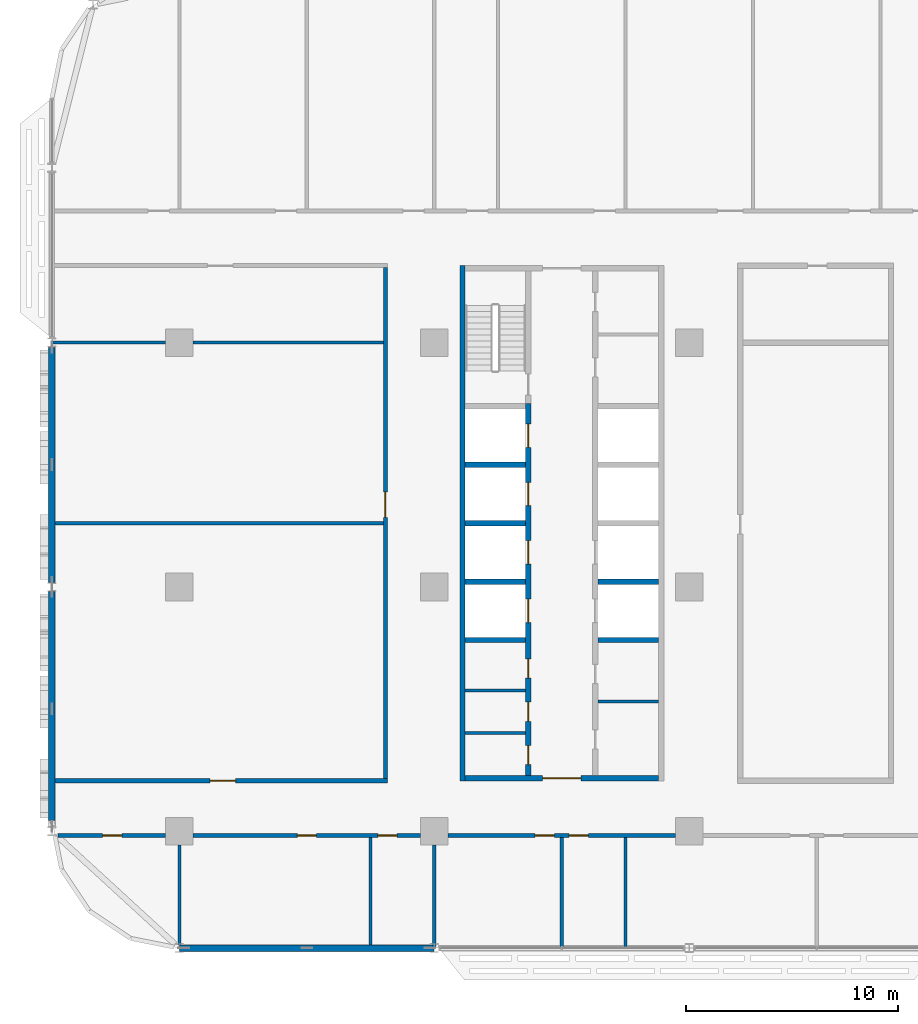
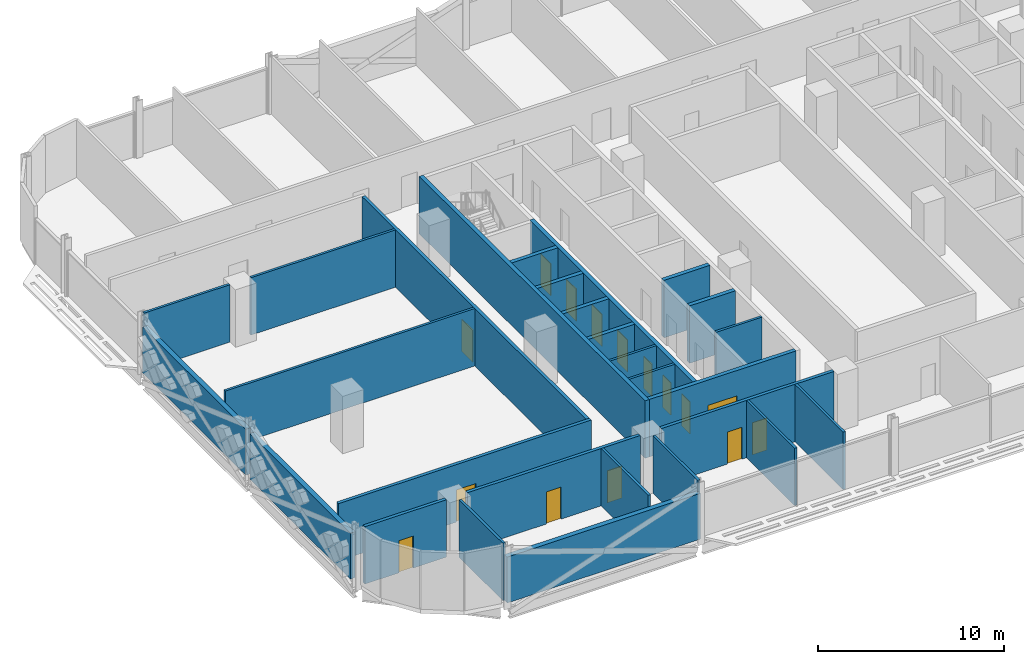
# One storey, part 13 of 29: 28 walls, 15 doors, 15 openings.
"""IFC4 building model written with IfcOpenShell, lengths in metres."""

from ifc_helpers import new_model, si_unit, direction, frame, frame_2d, origin, place, context, subcontext, project, spatial, rectangle, extrude, material, layer, layer_set, type_object, element, fill, save


model = new_model("IFC4")

# Units and contexts
model_context = context("Model", 3, precision=1e-05, world=origin(), true_north=direction((0.0, 1.0)))
body_context = subcontext(model_context, "Body", "Model", "MODEL_VIEW")
ifc_project = project(units=[si_unit("LENGTHUNIT", "METRE"), si_unit("AREAUNIT", "SQUARE_METRE"), si_unit("VOLUMEUNIT", "CUBIC_METRE"), si_unit("PLANEANGLEUNIT", "RADIAN"), si_unit("MASSUNIT", "GRAM", prefix="KILO")], contexts=[model_context])

# Site, building, storey
site_placement = place(None, origin())
site = spatial("IfcSite", under=ifc_project, at=site_placement, CompositionType="ELEMENT")
building_placement = place(site_placement, origin())
building = spatial("IfcBuilding", under=site, at=building_placement, Name="Mahtab Terrace Research Tower", CompositionType="ELEMENT")
storey_placement = place(building_placement, frame((0.0, 0.0, 142.5)))
storey = spatial("IfcBuildingStorey", under=building, at=storey_placement, Name="L33", CompositionType="ELEMENT", Elevation=142.5)

# Walls
ifc_material_1 = material(Name="Gypsum board partition")
ifc_layer_1 = layer(ifc_material_1, 0.14990234375)
ifc_layer_set_1 = layer_set([ifc_layer_1], Name="Core partition 150")
wall_type_1 = type_object("IfcWallType", Name="Core partition 150", PredefinedType="PARTITIONING", material=ifc_layer_set_1)
for number, where, z_axis, x_axis, name in (
    (1, (-28.550048828125, -6.875, 0.0), (0.0, 0.0, 1.0), (1.0, 0.0, 0.0), "Core wall A pWS-988"),
    (2, (-28.550048828125, -4.875, 0.0), (0.0, 0.0, 1.0), (1.0, 0.0, 0.0), "Core wall A pWS-788"),
    (3, (-22.300048828125, -5.39501953125, 0.0), (0.0, 0.0, 1.0), (1.0, 0.0, 0.0), "Core wall A pES-840"),
):
    element("IfcWall", number, at=place(storey_placement, frame(where, z_axis=z_axis, x_axis=x_axis)), inside=storey, type_object=wall_type_1, Name=name, PredefinedType="PARTITIONING", context=body_context, shape_type="SweptSolid", body=[
        extrude(rectangle(XDim=2.85009765625, YDim=0.14990234375, at=frame_2d((1.425048828125, 0.0))), origin(), (0.0, 0.0, 1.0), 3.760009765625),
    ])
ifc_material_2 = material(Name="Concrete C70/85", Category="concrete")
ifc_layer_2 = layer(ifc_material_2, 0.25)
ifc_layer_set_2 = layer_set([ifc_layer_2], Name="Core wall 250")
wall_type_2 = type_object("IfcWallType", Name="Core wall 250", PredefinedType="SOLIDWALL", material=ifc_layer_set_2)
wall_1_placement = place(storey_placement, frame((-28.675048828125, 15.125, 0.0), z_axis=(0.0, 0.0, 1.0), x_axis=(0.0, -1.0, 0.0)))
element("IfcWall", 4, at=wall_1_placement, inside=storey, type_object=wall_type_2, Name="Core wall A outerW", PredefinedType="SOLIDWALL", context=body_context, shape_type="SweptSolid", body=[
    extrude(rectangle(XDim=24.25, YDim=0.25, at=frame_2d((12.125, 0.0))), origin(), (0.0, 0.0, 1.0), 3.760009765625),
])

# Wall, opening, door
wall_2_placement = place(storey_placement, frame((-19.449951171875, -9.0, 0.0), z_axis=(0.0, 0.0, 1.0), x_axis=(-1.0, 0.0, 0.0)))
wall_2 = element("IfcWall", 5, at=wall_2_placement, inside=storey, type_object=wall_type_2, Name="Core wall A endS", PredefinedType="SOLIDWALL", context=body_context, shape_type="SweptSolid", body=[
    extrude(rectangle(XDim=9.10009765625, YDim=0.25, at=frame_2d((4.550048828125, 0.0))), origin(), (0.0, 0.0, 1.0), 3.760009765625),
])
opening_1_placement = place(wall_2_placement, frame((3.64990234375, 0.0, 0.0)))
opening_1 = element("IfcOpeningElement", 6, at=opening_1_placement, cuts=wall_2, Name="Opening A-S1", PredefinedType="OPENING", context=body_context, shape_type="SweptSolid", body=[
    extrude(rectangle(XDim=1.800048828125, YDim=2.10009765625, at=frame_2d((0.89990234375, 1.050048828125))), frame((0.0, 0.135009765625, 0.0), z_axis=(0.0, -1.0, 0.0), x_axis=(1.0, 0.0, 0.0)), (0.0, 0.0, 1.0), 0.27001953125),
])
ifc_material_3 = material(Name="Steel fire door", Category="steel")
door_type_1 = type_object("IfcDoorType", Name="Lobby double door 1800x2100 1 HR", OperationType="DOUBLE_DOOR_SINGLE_SWING", PredefinedType="DOOR", material=ifc_material_3)
door_1_placement = place(opening_1_placement, origin())
door_1 = element("IfcDoor", 7, at=door_1_placement, inside=storey, type_object=door_type_1, Name="Core entrance door A S", OperationType="DOUBLE_DOOR_SINGLE_SWING", OverallHeight=2.10009765625, OverallWidth=1.800048828125, PredefinedType="DOOR", context=body_context, shape_type="SweptSolid", body=[
    extrude(rectangle(XDim=1.800048828125, YDim=2.10009765625, at=frame_2d((0.89990234375, 1.050048828125))), frame((0.0, 0.02490234375, 0.0), z_axis=(0.0, -1.0, 0.0), x_axis=(1.0, 0.0, 0.0)), (0.0, 0.0, 1.0), 0.050048828125),
])
fill(opening_1, door_1)

# Wall, openings, doors
wall_3_placement = place(storey_placement, frame((-25.574951171875, -8.875, 0.0), z_axis=(0.0, 0.0, 1.0), x_axis=(0.0, 1.0, 0.0)))
wall_3 = element("IfcWall", 8, at=wall_3_placement, inside=storey, type_object=wall_type_2, Name="Core wall A innerWSL", PredefinedType="SOLIDWALL", context=body_context, shape_type="SweptSolid", body=[
    extrude(rectangle(XDim=17.5, YDim=0.25, at=frame_2d((8.75, 0.0))), origin(), (0.0, 0.0, 1.0), 3.760009765625),
])
opening_2_placement = place(wall_3_placement, frame((7.199951171875, 0.0, 0.0)))
opening_2 = element("IfcOpeningElement", 9, at=opening_2_placement, cuts=wall_3, Name="Opening LD01-L33", PredefinedType="OPENING", context=body_context, shape_type="SweptSolid", body=[
    extrude(rectangle(XDim=1.10009765625, YDim=2.10009765625, at=frame_2d((0.550048828125, 1.050048828125))), frame((0.0, 0.135009765625, 0.0), z_axis=(0.0, -1.0, 0.0), x_axis=(1.0, 0.0, 0.0)), (0.0, 0.0, 1.0), 0.27001953125),
])
opening_3_placement = place(wall_3_placement, frame((9.949951171875, 0.0, 0.0)))
opening_3 = element("IfcOpeningElement", 10, at=opening_3_placement, cuts=wall_3, Name="Opening LD02-L33", PredefinedType="OPENING", context=body_context, shape_type="SweptSolid", body=[
    extrude(rectangle(XDim=1.10009765625, YDim=2.10009765625, at=frame_2d((0.550048828125, 1.050048828125))), frame((0.0, 0.135009765625, 0.0), z_axis=(0.0, -1.0, 0.0), x_axis=(1.0, 0.0, 0.0)), (0.0, 0.0, 1.0), 0.27001953125),
])
opening_4_placement = place(wall_3_placement, frame((12.699951171875, 0.0, 0.0)))
opening_4 = element("IfcOpeningElement", 11, at=opening_4_placement, cuts=wall_3, Name="Opening LD03-L33", PredefinedType="OPENING", context=body_context, shape_type="SweptSolid", body=[
    extrude(rectangle(XDim=1.10009765625, YDim=2.10009765625, at=frame_2d((0.550048828125, 1.050048828125))), frame((0.0, 0.135009765625, 0.0), z_axis=(0.0, -1.0, 0.0), x_axis=(1.0, 0.0, 0.0)), (0.0, 0.0, 1.0), 0.27001953125),
])
opening_5_placement = place(wall_3_placement, frame((15.449951171875, 0.0, 0.0)))
opening_5 = element("IfcOpeningElement", 12, at=opening_5_placement, cuts=wall_3, Name="Opening LD04-L33", PredefinedType="OPENING", context=body_context, shape_type="SweptSolid", body=[
    extrude(rectangle(XDim=1.10009765625, YDim=2.10009765625, at=frame_2d((0.550048828125, 1.050048828125))), frame((0.0, 0.135009765625, 0.0), z_axis=(0.0, -1.0, 0.0), x_axis=(1.0, 0.0, 0.0)), (0.0, 0.0, 1.0), 0.27001953125),
])
opening_6_placement = place(wall_3_placement, frame((0.512451171875, 0.0, 0.0)))
opening_6 = element("IfcOpeningElement", 13, at=opening_6_placement, cuts=wall_3, Name="Opening A-R1", PredefinedType="OPENING", context=body_context, shape_type="SweptSolid", body=[
    extrude(rectangle(XDim=0.89990234375, YDim=2.10009765625, at=frame_2d((0.449951171875, 1.050048828125))), frame((0.0, 0.135009765625, 0.0), z_axis=(0.0, -1.0, 0.0), x_axis=(1.0, 0.0, 0.0)), (0.0, 0.0, 1.0), 0.27001953125),
])
opening_7_placement = place(wall_3_placement, frame((2.550048828125, 0.0, 0.0)))
opening_7 = element("IfcOpeningElement", 14, at=opening_7_placement, cuts=wall_3, Name="Opening A-R2", PredefinedType="OPENING", context=body_context, shape_type="SweptSolid", body=[
    extrude(rectangle(XDim=0.89990234375, YDim=2.10009765625, at=frame_2d((0.449951171875, 1.050048828125))), frame((0.0, 0.135009765625, 0.0), z_axis=(0.0, -1.0, 0.0), x_axis=(1.0, 0.0, 0.0)), (0.0, 0.0, 1.0), 0.27001953125),
])
opening_8_placement = place(wall_3_placement, frame((4.58740234375, 0.0, 0.0)))
opening_8 = element("IfcOpeningElement", 15, at=opening_8_placement, cuts=wall_3, Name="Opening A-R3", PredefinedType="OPENING", context=body_context, shape_type="SweptSolid", body=[
    extrude(rectangle(XDim=0.89990234375, YDim=2.10009765625, at=frame_2d((0.449951171875, 1.050048828125))), frame((0.0, 0.135009765625, 0.0), z_axis=(0.0, -1.0, 0.0), x_axis=(1.0, 0.0, 0.0)), (0.0, 0.0, 1.0), 0.27001953125),
])
ifc_material_4 = material(Name="Stainless steel AISI 304", Category="steel")
door_type_2 = type_object("IfcDoorType", Name="Landing door 1100x2100", OperationType="DOUBLE_DOOR_SLIDING", PredefinedType="DOOR", material=ifc_material_4)
door_2_placement = place(opening_2_placement, origin())
door_2 = element("IfcDoor", 16, at=door_2_placement, inside=storey, type_object=door_type_2, Name="Landing door LR1 L33", OperationType="DOUBLE_DOOR_SLIDING", OverallHeight=2.10009765625, OverallWidth=1.10009765625, PredefinedType="DOOR", context=body_context, shape_type="SweptSolid", body=[
    extrude(rectangle(XDim=1.10009765625, YDim=2.10009765625, at=frame_2d((0.550048828125, 1.050048828125))), frame((0.0, 0.02490234375, 0.0), z_axis=(0.0, -1.0, 0.0), x_axis=(1.0, 0.0, 0.0)), (0.0, 0.0, 1.0), 0.050048828125),
])
fill(opening_2, door_2)
door_3_placement = place(opening_3_placement, origin())
door_3 = element("IfcDoor", 17, at=door_3_placement, inside=storey, type_object=door_type_2, Name="Landing door LR2 L33", OperationType="DOUBLE_DOOR_SLIDING", OverallHeight=2.10009765625, OverallWidth=1.10009765625, PredefinedType="DOOR", context=body_context, shape_type="SweptSolid", body=[
    extrude(rectangle(XDim=1.10009765625, YDim=2.10009765625, at=frame_2d((0.550048828125, 1.050048828125))), frame((0.0, 0.02490234375, 0.0), z_axis=(0.0, -1.0, 0.0), x_axis=(1.0, 0.0, 0.0)), (0.0, 0.0, 1.0), 0.050048828125),
])
fill(opening_3, door_3)
door_4_placement = place(opening_4_placement, origin())
door_4 = element("IfcDoor", 18, at=door_4_placement, inside=storey, type_object=door_type_2, Name="Landing door LR3 L33", OperationType="DOUBLE_DOOR_SLIDING", OverallHeight=2.10009765625, OverallWidth=1.10009765625, PredefinedType="DOOR", context=body_context, shape_type="SweptSolid", body=[
    extrude(rectangle(XDim=1.10009765625, YDim=2.10009765625, at=frame_2d((0.550048828125, 1.050048828125))), frame((0.0, 0.02490234375, 0.0), z_axis=(0.0, -1.0, 0.0), x_axis=(1.0, 0.0, 0.0)), (0.0, 0.0, 1.0), 0.050048828125),
])
fill(opening_4, door_4)
door_5_placement = place(opening_5_placement, origin())
door_5 = element("IfcDoor", 19, at=door_5_placement, inside=storey, type_object=door_type_2, Name="Landing door LR4 L33", OperationType="DOUBLE_DOOR_SLIDING", OverallHeight=2.10009765625, OverallWidth=1.10009765625, PredefinedType="DOOR", context=body_context, shape_type="SweptSolid", body=[
    extrude(rectangle(XDim=1.10009765625, YDim=2.10009765625, at=frame_2d((0.550048828125, 1.050048828125))), frame((0.0, 0.02490234375, 0.0), z_axis=(0.0, -1.0, 0.0), x_axis=(1.0, 0.0, 0.0)), (0.0, 0.0, 1.0), 0.050048828125),
])
fill(opening_5, door_5)
door_type_3 = type_object("IfcDoorType", Name="Room door 900x2100 1 HR", OperationType="NOTDEFINED", PredefinedType="DOOR", material=ifc_material_3)
door_6_placement = place(opening_6_placement, origin())
door_6 = element("IfcDoor", 20, at=door_6_placement, inside=storey, type_object=door_type_3, Name="Male WC door", OperationType="SINGLE_SWING_LEFT", OverallHeight=2.10009765625, OverallWidth=0.89990234375, PredefinedType="DOOR", context=body_context, shape_type="SweptSolid", body=[
    extrude(rectangle(XDim=0.89990234375, YDim=2.10009765625, at=frame_2d((0.449951171875, 1.050048828125))), frame((0.0, 0.02490234375, 0.0), z_axis=(0.0, -1.0, 0.0), x_axis=(1.0, 0.0, 0.0)), (0.0, 0.0, 1.0), 0.050048828125),
])
fill(opening_6, door_6)
door_7_placement = place(opening_7_placement, origin())
door_7 = element("IfcDoor", 21, at=door_7_placement, inside=storey, type_object=door_type_3, Name="Female WC door", OperationType="SINGLE_SWING_RIGHT", OverallHeight=2.10009765625, OverallWidth=0.89990234375, PredefinedType="DOOR", context=body_context, shape_type="SweptSolid", body=[
    extrude(rectangle(XDim=0.89990234375, YDim=2.10009765625, at=frame_2d((0.449951171875, 1.050048828125))), frame((0.0, 0.02490234375, 0.0), z_axis=(0.0, -1.0, 0.0), x_axis=(1.0, 0.0, 0.0)), (0.0, 0.0, 1.0), 0.050048828125),
])
fill(opening_7, door_7)
door_8_placement = place(opening_8_placement, origin())
door_8 = element("IfcDoor", 22, at=door_8_placement, inside=storey, type_object=door_type_3, Name="Accessible WC door", OperationType="SINGLE_SWING_LEFT", OverallHeight=2.10009765625, OverallWidth=0.89990234375, PredefinedType="DOOR", context=body_context, shape_type="SweptSolid", body=[
    extrude(rectangle(XDim=0.89990234375, YDim=2.10009765625, at=frame_2d((0.449951171875, 1.050048828125))), frame((0.0, 0.02490234375, 0.0), z_axis=(0.0, -1.0, 0.0), x_axis=(1.0, 0.0, 0.0)), (0.0, 0.0, 1.0), 0.050048828125),
])
fill(opening_8, door_8)

# Walls
for number, where, z_axis, x_axis, name in (
    (23, (-28.550048828125, -2.5, 0.0), (0.0, 0.0, 1.0), (1.0, 0.0, 0.0), "Core wall A divW0"),
    (24, (-28.550048828125, 0.25, 0.0), (0.0, 0.0, 1.0), (1.0, 0.0, 0.0), "Core wall A divW1"),
    (25, (-28.550048828125, 3.0, 0.0), (0.0, 0.0, 1.0), (1.0, 0.0, 0.0), "Core wall A divW2"),
    (26, (-28.550048828125, 5.75, 0.0), (0.0, 0.0, 1.0), (1.0, 0.0, 0.0), "Core wall A divW3"),
    (27, (-22.300048828125, -2.5, 0.0), (0.0, 0.0, 1.0), (1.0, 0.0, 0.0), "Core wall A divE0"),
    (28, (-22.300048828125, 0.25, 0.0), (0.0, 0.0, 1.0), (1.0, 0.0, 0.0), "Core wall A divE1"),
):
    element("IfcWall", number, at=place(storey_placement, frame(where, z_axis=z_axis, x_axis=x_axis)), inside=storey, type_object=wall_type_2, Name=name, PredefinedType="SOLIDWALL", context=body_context, shape_type="SweptSolid", body=[
        extrude(rectangle(XDim=2.85009765625, YDim=0.25, at=frame_2d((1.425048828125, 0.0))), origin(), (0.0, 0.0, 1.0), 3.760009765625),
    ])
ifc_material_5 = material(Name="Black aluminium cladding panel", Category="aluminium")
ifc_layer_3 = layer(ifc_material_5, 0.300048828125)
ifc_layer_set_3 = layer_set([ifc_layer_3], Name="Opaque facade wall 300")
wall_type_3 = type_object("IfcWallType", Name="Opaque facade wall 300", PredefinedType="NOTDEFINED", material=ifc_layer_set_3)
wall_4_placement = place(storey_placement, frame((-48.0, 11.281982421875, 0.0), z_axis=(0.0, 0.0, 1.0), x_axis=(0.0, -1.0, 0.0)))
element("IfcWall", 29, at=wall_4_placement, inside=storey, type_object=wall_type_3, Name="Opaque facade wall L33 W17", PredefinedType="NOTDEFINED", context=body_context, shape_type="SweptSolid", body=[
    extrude(rectangle(XDim=11.06396484375, YDim=0.300048828125, at=frame_2d((5.531982421875, 0.0))), origin(), (0.0, 0.0, 1.0), 3.003173828125),
])
wall_5_placement = place(storey_placement, frame((-48.0, -0.218017578125, 0.0), z_axis=(0.0, 0.0, 1.0), x_axis=(0.0, -1.0, 0.0)))
element("IfcWall", 30, at=wall_5_placement, inside=storey, type_object=wall_type_3, Name="Opaque facade wall L33 W18", PredefinedType="NOTDEFINED", context=body_context, shape_type="SweptSolid", body=[
    extrude(rectangle(XDim=10.781982421875, YDim=0.300048828125, at=frame_2d((5.39111328125, 0.0))), origin(), (0.0, 0.0, 1.0), 3.003173828125),
])
wall_6_placement = place(storey_placement, frame((-41.982177734375, -17.0, 0.0), z_axis=(0.0, 0.0, 1.0), x_axis=(1.0, 0.0, 0.0)))
element("IfcWall", 31, at=wall_6_placement, inside=storey, type_object=wall_type_3, Name="Opaque facade wall L33 S24", PredefinedType="NOTDEFINED", context=body_context, shape_type="SweptSolid", body=[
    extrude(rectangle(XDim=11.96435546875, YDim=0.300048828125, at=frame_2d((5.982177734375, 0.0))), origin(), (0.0, 0.0, 1.0), 3.003173828125),
])

# Wall, opening, door
ifc_material_6 = material(Name="Gypsum board corridor wall on steel studs", Category="steel")
ifc_layer_4 = layer(ifc_material_6, 0.199951171875)
ifc_layer_set_4 = layer_set([ifc_layer_4], Name="WALL CORRIDOR 200")
wall_type_4 = type_object("IfcWallType", Name="WALL CORRIDOR 200", PredefinedType="PARTITIONING", material=ifc_layer_set_4)
wall_7_placement = place(storey_placement, frame((-47.707763671875, -11.699951171875, 0.0), z_axis=(0.0, 0.0, 1.0), x_axis=(1.0, 0.0, 0.0)))
wall_7 = element("IfcWall", 32, at=wall_7_placement, inside=storey, type_object=wall_type_4, Name="L33-W001", PredefinedType="PARTITIONING", context=body_context, shape_type="SweptSolid", body=[
    extrude(rectangle(XDim=5.057861328125, YDim=0.199951171875, at=frame_2d((2.52880859375, 0.0))), origin(), (0.0, 0.0, 1.0), 3.760009765625),
])
opening_9_placement = place(wall_7_placement, frame((2.10009765625, 0.0, 0.0)))
opening_9 = element("IfcOpeningElement", 33, at=opening_9_placement, cuts=wall_7, Name="Opening L33-101", PredefinedType="OPENING", context=body_context, shape_type="SweptSolid", body=[
    extrude(rectangle(XDim=0.89990234375, YDim=2.10009765625, at=frame_2d((0.449951171875, 1.050048828125))), frame((0.0, 0.10986328125, 0.0), z_axis=(0.0, -1.0, 0.0), x_axis=(1.0, 0.0, 0.0)), (0.0, 0.0, 1.0), 0.219970703125),
])
ifc_material_7 = material(Name="Timber door leaf in steel frame", Category="steel")
door_type_4 = type_object("IfcDoorType", Name="DOOR 0900X2100 FD30S", OperationType="SINGLE_SWING_LEFT", PredefinedType="DOOR", material=ifc_material_7)
door_9_placement = place(opening_9_placement, origin())
door_9 = element("IfcDoor", 34, at=door_9_placement, inside=storey, type_object=door_type_4, Name="Door L33-101", OperationType="SINGLE_SWING_LEFT", OverallHeight=2.10009765625, OverallWidth=0.89990234375, PredefinedType="DOOR", context=body_context, shape_type="SweptSolid", body=[
    extrude(rectangle(XDim=0.89990234375, YDim=2.10009765625, at=frame_2d((0.449951171875, 1.050048828125))), frame((0.0, 0.02490234375, 0.0), z_axis=(0.0, -1.0, 0.0), x_axis=(1.0, 0.0, 0.0)), (0.0, 0.0, 1.0), 0.050048828125),
])
fill(opening_9, door_9)

# Wall, openings, doors
wall_8_placement = place(storey_placement, frame((-41.35009765625, -11.699951171875, 0.0), z_axis=(0.0, 0.0, 1.0), x_axis=(1.0, 0.0, 0.0)))
wall_8 = element("IfcWall", 35, at=wall_8_placement, inside=storey, type_object=wall_type_4, Name="L33-W002", PredefinedType="PARTITIONING", context=body_context, shape_type="SweptSolid", body=[
    extrude(rectangle(XDim=10.7001953125, YDim=0.199951171875, at=frame_2d((5.35009765625, 0.0))), origin(), (0.0, 0.0, 1.0), 3.760009765625),
])
opening_10_placement = place(wall_8_placement, frame((4.89990234375, 0.0, 0.0)))
opening_10 = element("IfcOpeningElement", 36, at=opening_10_placement, cuts=wall_8, Name="Opening L33-102", PredefinedType="OPENING", context=body_context, shape_type="SweptSolid", body=[
    extrude(rectangle(XDim=0.89990234375, YDim=2.10009765625, at=frame_2d((0.449951171875, 1.050048828125))), frame((0.0, 0.10986328125, 0.0), z_axis=(0.0, -1.0, 0.0), x_axis=(1.0, 0.0, 0.0)), (0.0, 0.0, 1.0), 0.219970703125),
])
opening_11_placement = place(wall_8_placement, frame((8.699951171875, 0.0, 0.0)))
opening_11 = element("IfcOpeningElement", 37, at=opening_11_placement, cuts=wall_8, Name="Opening L33-103", PredefinedType="OPENING", context=body_context, shape_type="SweptSolid", body=[
    extrude(rectangle(XDim=0.89990234375, YDim=2.10009765625, at=frame_2d((0.449951171875, 1.050048828125))), frame((0.0, 0.10986328125, 0.0), z_axis=(0.0, -1.0, 0.0), x_axis=(1.0, 0.0, 0.0)), (0.0, 0.0, 1.0), 0.219970703125),
])
door_10_placement = place(opening_10_placement, origin())
door_10 = element("IfcDoor", 38, at=door_10_placement, inside=storey, type_object=door_type_4, Name="Door L33-102", OperationType="SINGLE_SWING_RIGHT", OverallHeight=2.10009765625, OverallWidth=0.89990234375, PredefinedType="DOOR", context=body_context, shape_type="SweptSolid", body=[
    extrude(rectangle(XDim=0.89990234375, YDim=2.10009765625, at=frame_2d((0.449951171875, 1.050048828125))), frame((0.0, 0.02490234375, 0.0), z_axis=(0.0, -1.0, 0.0), x_axis=(1.0, 0.0, 0.0)), (0.0, 0.0, 1.0), 0.050048828125),
])
fill(opening_10, door_10)
door_11_placement = place(opening_11_placement, origin())
door_11 = element("IfcDoor", 39, at=door_11_placement, inside=storey, type_object=door_type_4, Name="Door L33-103", OperationType="SINGLE_SWING_LEFT", OverallHeight=2.10009765625, OverallWidth=0.89990234375, PredefinedType="DOOR", context=body_context, shape_type="SweptSolid", body=[
    extrude(rectangle(XDim=0.89990234375, YDim=2.10009765625, at=frame_2d((0.449951171875, 1.050048828125))), frame((0.0, 0.02490234375, 0.0), z_axis=(0.0, -1.0, 0.0), x_axis=(1.0, 0.0, 0.0)), (0.0, 0.0, 1.0), 0.050048828125),
])
fill(opening_11, door_11)

wall_9_placement = place(storey_placement, frame((-29.35009765625, -11.699951171875, 0.0), z_axis=(0.0, 0.0, 1.0), x_axis=(1.0, 0.0, 0.0)))
wall_9 = element("IfcWall", 40, at=wall_9_placement, inside=storey, type_object=wall_type_4, Name="L33-W003", PredefinedType="PARTITIONING", context=body_context, shape_type="SweptSolid", body=[
    extrude(rectangle(XDim=10.7001953125, YDim=0.199951171875, at=frame_2d((5.35009765625, 0.0))), origin(), (0.0, 0.0, 1.0), 3.760009765625),
])
opening_12_placement = place(wall_9_placement, frame((4.10009765625, 0.0, 0.0)))
opening_12 = element("IfcOpeningElement", 41, at=opening_12_placement, cuts=wall_9, Name="Opening L33-104", PredefinedType="OPENING", context=body_context, shape_type="SweptSolid", body=[
    extrude(rectangle(XDim=0.89990234375, YDim=2.10009765625, at=frame_2d((0.449951171875, 1.050048828125))), frame((0.0, 0.10986328125, 0.0), z_axis=(0.0, -1.0, 0.0), x_axis=(1.0, 0.0, 0.0)), (0.0, 0.0, 1.0), 0.219970703125),
])
opening_13_placement = place(wall_9_placement, frame((5.699951171875, 0.0, 0.0)))
opening_13 = element("IfcOpeningElement", 42, at=opening_13_placement, cuts=wall_9, Name="Opening L33-105", PredefinedType="OPENING", context=body_context, shape_type="SweptSolid", body=[
    extrude(rectangle(XDim=0.89990234375, YDim=2.10009765625, at=frame_2d((0.449951171875, 1.050048828125))), frame((0.0, 0.10986328125, 0.0), z_axis=(0.0, -1.0, 0.0), x_axis=(1.0, 0.0, 0.0)), (0.0, 0.0, 1.0), 0.219970703125),
])
door_12_placement = place(opening_12_placement, origin())
door_12 = element("IfcDoor", 43, at=door_12_placement, inside=storey, type_object=door_type_4, Name="Door L33-104", OperationType="SINGLE_SWING_RIGHT", OverallHeight=2.10009765625, OverallWidth=0.89990234375, PredefinedType="DOOR", context=body_context, shape_type="SweptSolid", body=[
    extrude(rectangle(XDim=0.89990234375, YDim=2.10009765625, at=frame_2d((0.449951171875, 1.050048828125))), frame((0.0, 0.02490234375, 0.0), z_axis=(0.0, -1.0, 0.0), x_axis=(1.0, 0.0, 0.0)), (0.0, 0.0, 1.0), 0.050048828125),
])
fill(opening_12, door_12)
door_13_placement = place(opening_13_placement, origin())
door_13 = element("IfcDoor", 44, at=door_13_placement, inside=storey, type_object=door_type_4, Name="Door L33-105", OperationType="SINGLE_SWING_LEFT", OverallHeight=2.10009765625, OverallWidth=0.89990234375, PredefinedType="DOOR", context=body_context, shape_type="SweptSolid", body=[
    extrude(rectangle(XDim=0.89990234375, YDim=2.10009765625, at=frame_2d((0.449951171875, 1.050048828125))), frame((0.0, 0.02490234375, 0.0), z_axis=(0.0, -1.0, 0.0), x_axis=(1.0, 0.0, 0.0)), (0.0, 0.0, 1.0), 0.050048828125),
])
fill(opening_13, door_13)

# Wall, opening, door
wall_10_placement = place(storey_placement, frame((-47.85009765625, -9.125, 0.0), z_axis=(0.0, 0.0, 1.0), x_axis=(1.0, 0.0, 0.0)))
wall_10 = element("IfcWall", 45, at=wall_10_placement, inside=storey, type_object=wall_type_4, Name="L33-W010", PredefinedType="PARTITIONING", context=body_context, shape_type="SweptSolid", body=[
    extrude(rectangle(XDim=15.650146484375, YDim=0.199951171875, at=frame_2d((7.8251953125, 0.0))), origin(), (0.0, 0.0, 1.0), 3.760009765625),
])
opening_14_placement = place(wall_10_placement, frame((7.300048828125, 0.0, 0.0)))
opening_14 = element("IfcOpeningElement", 46, at=opening_14_placement, cuts=wall_10, Name="Opening L33-117", PredefinedType="OPENING", context=body_context, shape_type="SweptSolid", body=[
    extrude(rectangle(XDim=1.199951171875, YDim=2.10009765625, at=frame_2d((0.60009765625, 1.050048828125))), frame((0.0, 0.10986328125, 0.0), z_axis=(0.0, -1.0, 0.0), x_axis=(1.0, 0.0, 0.0)), (0.0, 0.0, 1.0), 0.219970703125),
])
door_type_5 = type_object("IfcDoorType", Name="DOOR 1200X2100 FD30S", OperationType="SINGLE_SWING_LEFT", PredefinedType="DOOR", material=ifc_material_7)
door_14_placement = place(opening_14_placement, origin())
door_14 = element("IfcDoor", 47, at=door_14_placement, inside=storey, type_object=door_type_5, Name="Door L33-117", OperationType="SINGLE_SWING_RIGHT", OverallHeight=2.10009765625, OverallWidth=1.199951171875, PredefinedType="DOOR", context=body_context, shape_type="SweptSolid", body=[
    extrude(rectangle(XDim=1.199951171875, YDim=2.10009765625, at=frame_2d((0.60009765625, 1.050048828125))), frame((0.0, 0.02490234375, 0.0), z_axis=(0.0, -1.0, 0.0), x_axis=(1.0, 0.0, 0.0)), (0.0, 0.0, 1.0), 0.050048828125),
])
fill(opening_14, door_14)

wall_11_placement = place(storey_placement, frame((-32.300048828125, -9.02490234375, 0.0), z_axis=(0.0, 0.0, 1.0), x_axis=(0.0, 1.0, 0.0)))
wall_11 = element("IfcWall", 48, at=wall_11_placement, inside=storey, type_object=wall_type_4, Name="L33-W031", PredefinedType="PARTITIONING", context=body_context, shape_type="SweptSolid", body=[
    extrude(rectangle(XDim=24.0498046875, YDim=0.199951171875, at=frame_2d((12.02490234375, 0.0))), origin(), (0.0, 0.0, 1.0), 3.760009765625),
])
opening_15_placement = place(wall_11_placement, frame((12.300048828125, 0.0, 0.0)))
opening_15 = element("IfcOpeningElement", 49, at=opening_15_placement, cuts=wall_11, Name="Opening L33-122", PredefinedType="OPENING", context=body_context, shape_type="SweptSolid", body=[
    extrude(rectangle(XDim=1.199951171875, YDim=2.10009765625, at=frame_2d((0.60009765625, 1.050048828125))), frame((0.0, 0.10986328125, 0.0), z_axis=(0.0, -1.0, 0.0), x_axis=(1.0, 0.0, 0.0)), (0.0, 0.0, 1.0), 0.219970703125),
])
door_15_placement = place(opening_15_placement, origin())
door_15 = element("IfcDoor", 50, at=door_15_placement, inside=storey, type_object=door_type_5, Name="Door L33-122", OperationType="SINGLE_SWING_RIGHT", OverallHeight=2.10009765625, OverallWidth=1.199951171875, PredefinedType="DOOR", context=body_context, shape_type="SweptSolid", body=[
    extrude(rectangle(XDim=1.199951171875, YDim=2.10009765625, at=frame_2d((0.60009765625, 1.050048828125))), frame((0.0, 0.02490234375, 0.0), z_axis=(0.0, -1.0, 0.0), x_axis=(1.0, 0.0, 0.0)), (0.0, 0.0, 1.0), 0.050048828125),
])
fill(opening_15, door_15)

# Walls
ifc_material_8 = material(Name="Gypsum board partition on steel studs", Category="steel")
ifc_layer_5 = layer(ifc_material_8, 0.14990234375)
ifc_layer_set_5 = layer_set([ifc_layer_5], Name="WALL PARTITION 150")
wall_type_5 = type_object("IfcWallType", Name="WALL PARTITION 150", PredefinedType="PARTITIONING", material=ifc_layer_set_5)
wall_12_placement = place(storey_placement, frame((-47.85009765625, 3.0, 0.0), z_axis=(0.0, 0.0, 1.0), x_axis=(1.0, 0.0, 0.0)))
element("IfcWall", 51, at=wall_12_placement, inside=storey, type_object=wall_type_5, Name="L33-W014", PredefinedType="PARTITIONING", context=body_context, shape_type="SweptSolid", body=[
    extrude(rectangle(XDim=15.4501953125, YDim=0.14990234375, at=frame_2d((7.72509765625, 0.0))), origin(), (0.0, 0.0, 1.0), 3.760009765625),
])
wall_13_placement = place(storey_placement, frame((-47.97509765625, 11.5, 0.0), z_axis=(0.0, 0.0, 1.0), x_axis=(1.0, 0.0, 0.0)))
element("IfcWall", 52, at=wall_13_placement, inside=storey, type_object=wall_type_5, Name="L33-W016", PredefinedType="PARTITIONING", context=body_context, shape_type="SweptSolid", body=[
    extrude(rectangle(XDim=5.3251953125, YDim=0.14990234375, at=frame_2d((2.66259765625, 0.0))), origin(), (0.0, 0.0, 1.0), 3.760009765625),
])
wall_14_placement = place(storey_placement, frame((-41.35009765625, 11.5, 0.0), z_axis=(0.0, 0.0, 1.0), x_axis=(1.0, 0.0, 0.0)))
element("IfcWall", 53, at=wall_14_placement, inside=storey, type_object=wall_type_5, Name="L33-W017", PredefinedType="PARTITIONING", context=body_context, shape_type="SweptSolid", body=[
    extrude(rectangle(XDim=8.9501953125, YDim=0.14990234375, at=frame_2d((4.47509765625, 0.0))), origin(), (0.0, 0.0, 1.0), 3.760009765625),
])
wall_15_placement = place(storey_placement, frame((-42.0, -16.84716796875, 0.0), z_axis=(0.0, 0.0, 1.0), x_axis=(0.0, 1.0, 0.0)))
element("IfcWall", 54, at=wall_15_placement, inside=storey, type_object=wall_type_5, Name="L33-W027", PredefinedType="PARTITIONING", context=body_context, shape_type="SweptSolid", body=[
    extrude(rectangle(XDim=4.697265625, YDim=0.14990234375, at=frame_2d((2.3486328125, 0.0))), origin(), (0.0, 0.0, 1.0), 3.760009765625),
])
wall_16_placement = place(storey_placement, frame((-33.0, -16.85009765625, 0.0), z_axis=(0.0, 0.0, 1.0), x_axis=(0.0, 1.0, 0.0)))
element("IfcWall", 55, at=wall_16_placement, inside=storey, type_object=wall_type_5, Name="L33-W030", PredefinedType="PARTITIONING", context=body_context, shape_type="SweptSolid", body=[
    extrude(rectangle(XDim=5.050048828125, YDim=0.14990234375, at=frame_2d((2.52490234375, 0.0))), origin(), (0.0, 0.0, 1.0), 3.760009765625),
])
wall_17_placement = place(storey_placement, frame((-30.0, -16.97509765625, 0.0), z_axis=(0.0, 0.0, 1.0), x_axis=(0.0, 1.0, 0.0)))
element("IfcWall", 56, at=wall_17_placement, inside=storey, type_object=wall_type_5, Name="L33-W032", PredefinedType="PARTITIONING", context=body_context, shape_type="SweptSolid", body=[
    extrude(rectangle(XDim=4.8251953125, YDim=0.14990234375, at=frame_2d((2.41259765625, 0.0))), origin(), (0.0, 0.0, 1.0), 3.760009765625),
])
for number, where, z_axis, x_axis, name in (
    (57, (-24.0, -16.97509765625, 0.0), (0.0, 0.0, 1.0), (0.0, 1.0, 0.0), "L33-W035"),
    (58, (-21.0, -16.97509765625, 0.0), (0.0, 0.0, 1.0), (0.0, 1.0, 0.0), "L33-W036"),
):
    element("IfcWall", number, at=place(storey_placement, frame(where, z_axis=z_axis, x_axis=x_axis)), inside=storey, type_object=wall_type_5, Name=name, PredefinedType="PARTITIONING", context=body_context, shape_type="SweptSolid", body=[
        extrude(rectangle(XDim=5.175048828125, YDim=0.14990234375, at=frame_2d((2.58740234375, 0.0))), origin(), (0.0, 0.0, 1.0), 3.760009765625),
    ])

save(model, "model.ifc")
